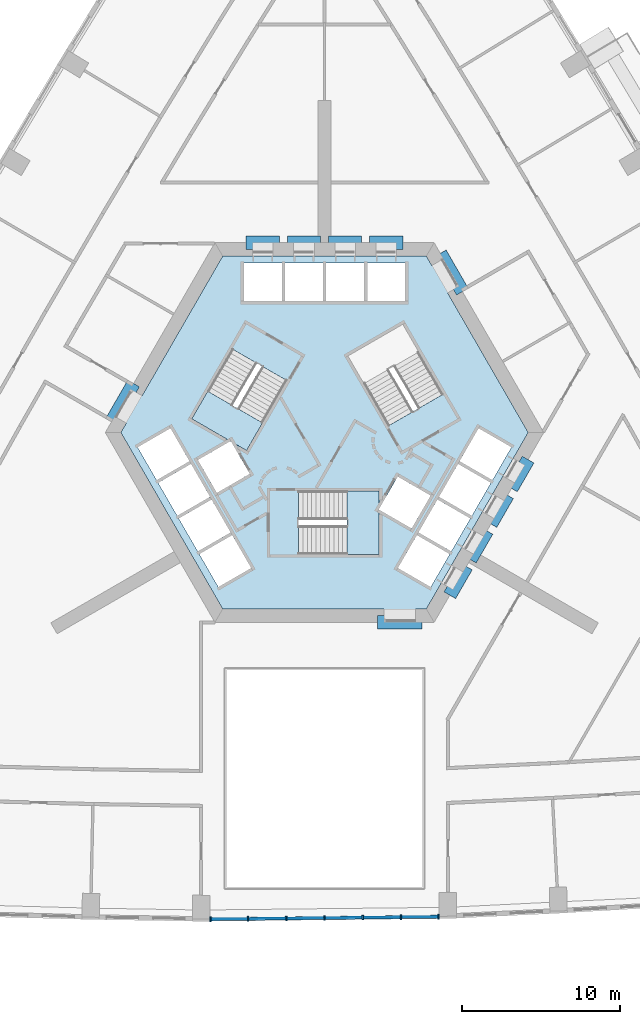
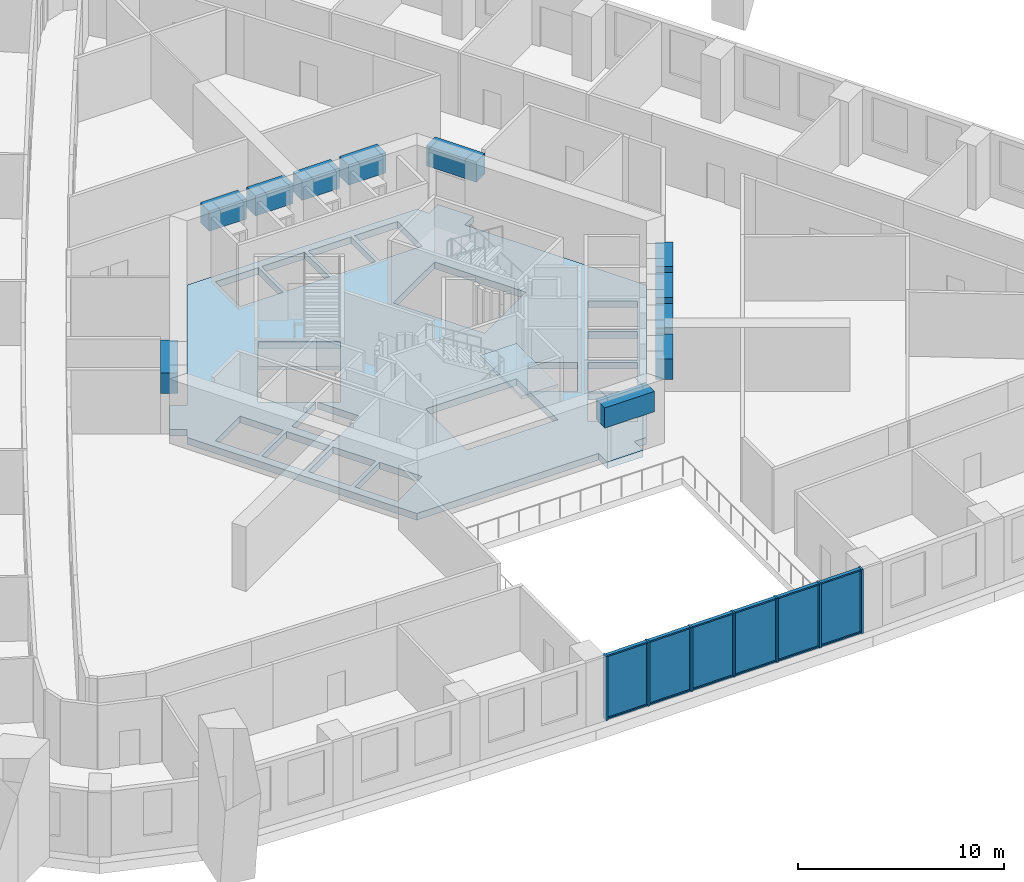
# One storey, part 2 of 15: 19 members, 11 beams, 6 plates, 3 slabs, 3 elements without a shape of their own.
"""IFC4 building model written with IfcOpenShell, lengths in metres."""

from ifc_helpers import new_model, si_unit, direction, frame, origin, origin_2d, place, context, subcontext, project, spatial, polyline, rectangle, outline, extrude, material, layer, layer_set, material_profile, profile_set, type_object, element, aggregate, save


model = new_model("IFC4")

# Units and contexts
model_context = context("Model", 3, precision=1e-05, world=origin(), true_north=direction((0.0, 1.0)))
body_context = subcontext(model_context, "Body", "Model", "MODEL_VIEW")
ifc_project = project(units=[si_unit("LENGTHUNIT", "METRE"), si_unit("AREAUNIT", "SQUARE_METRE"), si_unit("VOLUMEUNIT", "CUBIC_METRE"), si_unit("PLANEANGLEUNIT", "RADIAN"), si_unit("MASSUNIT", "GRAM", prefix="KILO")], contexts=[model_context])

# Site, building, storey
site_placement = place(None, origin())
site = spatial("IfcSite", under=ifc_project, at=site_placement, CompositionType="ELEMENT")
building_placement = place(site_placement, origin())
building = spatial("IfcBuilding", under=site, at=building_placement, Name="Entoto Arch Interchange Tower", CompositionType="ELEMENT")
storey_placement = place(building_placement, frame((0.0, 0.0, 124.39990234375)))
storey = spatial("IfcBuildingStorey", under=building, at=storey_placement, Name="L27", CompositionType="ELEMENT", Elevation=124.39990234375)

# Beams
ifc_material_1 = material(Name="Concrete C60/75", Category="concrete")
ifc_material_profile_1 = material_profile(ifc_material_1, rectangle(XDim=0.85009765625, YDim=1.199951171875, at=origin_2d()))
ifc_profile_set_1 = profile_set([ifc_material_profile_1], Name="Concrete C60/75")
beam_type = type_object("IfcBeamType", Name="Coupling beam RC 850x1200 C60/75", PredefinedType="BEAM", material=ifc_profile_set_1)
beam_1_placement = place(storey_placement, frame((8.717041015625, 11.402099609375, 3.0), z_axis=(-0.500200581029, 0.865909567298, 0.0), x_axis=(-0.865909567298, -0.500200581029, 0.0)))
element("IfcBeam", 1, at=beam_1_placement, inside=storey, type_object=beam_type, Name="Coupling beam NE L27", PredefinedType="BEAM", context=body_context, shape_type="SweptSolid", body=[
    extrude(rectangle(XDim=0.85009765625, YDim=1.199951171875, at=origin_2d()), origin(), (0.0, 0.0, 1.0), 2.799072265625),
])
beam_2_placement = place(storey_placement, frame((4.949951171875, 14.5, 3.0), z_axis=(-1.0, 0.0, 0.0), x_axis=(0.0, -1.0, 0.0)))
element("IfcBeam", 2, at=beam_2_placement, inside=storey, type_object=beam_type, Name="Coupling beam N L27", PredefinedType="BEAM", context=body_context, shape_type="SweptSolid", body=[
    extrude(rectangle(XDim=0.85009765625, YDim=1.199951171875, at=origin_2d()), origin(), (0.0, 0.0, 1.0), 2.099853515625),
])
for number, where, z_axis, x_axis, name in (
    (3, (2.35009765625, 14.5, 3.0), (-1.0, 0.0, 0.0), (0.0, -1.0, 0.0), "Coupling beam N L27"),
    (4, (-0.25, 14.5, 3.0), (-1.0, 0.0, 0.0), (0.0, -1.0, 0.0), "Coupling beam N L27"),
):
    element("IfcBeam", number, at=place(storey_placement, frame(where, z_axis=z_axis, x_axis=x_axis)), inside=storey, type_object=beam_type, Name=name, PredefinedType="BEAM", context=body_context, shape_type="SweptSolid", body=[
        extrude(rectangle(XDim=0.85009765625, YDim=1.199951171875, at=origin_2d()), origin(), (0.0, 0.0, 1.0), 2.10009765625),
    ])
beam_3_placement = place(storey_placement, frame((-2.85009765625, 14.5, 3.0), z_axis=(-1.0, 0.0, 0.0), x_axis=(0.0, -1.0, 0.0)))
element("IfcBeam", 5, at=beam_3_placement, inside=storey, type_object=beam_type, Name="Coupling beam N L27", PredefinedType="BEAM", context=body_context, shape_type="SweptSolid", body=[
    extrude(rectangle(XDim=0.85009765625, YDim=1.199951171875, at=origin_2d()), origin(), (0.0, 0.0, 1.0), 2.099853515625),
])
beam_4_placement = place(storey_placement, frame((-12.06689453125, 5.597900390625, 3.0), z_axis=(-0.500200581029, -0.865909567298, 0.0), x_axis=(0.865909567298, -0.500200581029, 0.0)))
element("IfcBeam", 6, at=beam_4_placement, inside=storey, type_object=beam_type, Name="Coupling beam NW L27", PredefinedType="BEAM", context=body_context, shape_type="SweptSolid", body=[
    extrude(rectangle(XDim=0.85009765625, YDim=1.199951171875, at=origin_2d()), origin(), (0.0, 0.0, 1.0), 2.799072265625),
])
beam_5_placement = place(storey_placement, frame((3.35009765625, -9.5, 3.0), z_axis=(1.0, 0.0, 0.0), x_axis=(0.0, 1.0, 0.0)))
element("IfcBeam", 7, at=beam_5_placement, inside=storey, type_object=beam_type, Name="Coupling beam S L27", PredefinedType="BEAM", context=body_context, shape_type="SweptSolid", body=[
    extrude(rectangle(XDim=0.85009765625, YDim=1.199951171875, at=origin_2d()), origin(), (0.0, 0.0, 1.0), 2.7998046875),
])
for number, where, z_axis, x_axis, name in (
    (8, (7.9169921875, -7.785888671875, 3.0), (0.500178781653, 0.865922159541, 0.0), (-0.865922159541, 0.500178781653, 0.0), "Coupling beam SE L27"),
    (9, (9.217041015625, -5.534912109375, 3.0), (0.500178781653, 0.865922159541, 0.0), (-0.865922159541, 0.500178781653, 0.0), "Coupling beam SE L27"),
):
    element("IfcBeam", number, at=place(storey_placement, frame(where, z_axis=z_axis, x_axis=x_axis)), inside=storey, type_object=beam_type, Name=name, PredefinedType="BEAM", context=body_context, shape_type="SweptSolid", body=[
        extrude(rectangle(XDim=0.85009765625, YDim=1.199951171875, at=origin_2d()), origin(), (0.0, 0.0, 1.0), 2.099365234375),
    ])
beam_6_placement = place(storey_placement, frame((10.51708984375, -3.282958984375, 3.0), z_axis=(0.500091574638, 0.865972526687, 0.0), x_axis=(-0.865972526687, 0.500091574638, 0.0)))
element("IfcBeam", 10, at=beam_6_placement, inside=storey, type_object=beam_type, Name="Coupling beam SE L27", PredefinedType="BEAM", context=body_context, shape_type="SweptSolid", body=[
    extrude(rectangle(XDim=0.85009765625, YDim=1.199951171875, at=origin_2d()), origin(), (0.0, 0.0, 1.0), 2.09912109375),
])
beam_7_placement = place(storey_placement, frame((11.81689453125, -1.031982421875, 3.0), z_axis=(0.500178781653, 0.865922159541, 0.0), x_axis=(-0.865922159541, 0.500178781653, 0.0)))
element("IfcBeam", 11, at=beam_7_placement, inside=storey, type_object=beam_type, Name="Coupling beam SE L27", PredefinedType="BEAM", context=body_context, shape_type="SweptSolid", body=[
    extrude(rectangle(XDim=0.85009765625, YDim=1.199951171875, at=origin_2d()), origin(), (0.0, 0.0, 1.0), 2.099365234375),
])

# Curtain wall, members
ifc_material_2 = material(Name="Aluminium, anodised", Category="aluminium")
curtain_wall_type = type_object("IfcCurtainWallType", Name="CURTAIN WALL ATRIUM", PredefinedType="NOTDEFINED", material=ifc_material_2)
curtain_wall_placement = place(storey_placement, origin())
curtain_wall = element("IfcCurtainWall", 12, at=curtain_wall_placement, inside=storey, type_object=curtain_wall_type, Name="Atrium glazing S-04 L27", PredefinedType="NOTDEFINED")
ifc_material_profile_2 = material_profile(ifc_material_2, rectangle(XDim=0.300048828125, YDim=0.10009765625, at=origin_2d()))
ifc_profile_set_2 = profile_set([ifc_material_profile_2], Name="Aluminium, anodised")
member_type_1 = type_object("IfcMemberType", Name="MULLION ATRIUM 100x300", PredefinedType="MULLION", material=ifc_profile_set_2)
member_1_placement = place(storey_placement, frame((-7.199951171875, -28.266357421875, 0.0), z_axis=(0.0, 0.0, 1.0), x_axis=(-0.011102763886, 0.999938362417, 0.0)))
member_1 = element("IfcMember", 13, at=member_1_placement, type_object=member_type_1, Name="CWA mullion 1", PredefinedType="MULLION", context=body_context, shape_type="SweptSolid", body=[
    extrude(rectangle(XDim=0.300048828125, YDim=0.10009765625, at=origin_2d()), origin(), (0.0, 0.0, 1.0), 3.800048828125),
])
member_2_placement = place(storey_placement, frame((-4.833251953125, -28.240234375, 0.0), z_axis=(0.0, 0.0, 1.0), x_axis=(-0.011102763886, 0.999938362417, 0.0)))
member_2 = element("IfcMember", 14, at=member_2_placement, type_object=member_type_1, Name="CWA mullion 2", PredefinedType="MULLION", context=body_context, shape_type="SweptSolid", body=[
    extrude(rectangle(XDim=0.300048828125, YDim=0.10009765625, at=origin_2d()), origin(), (0.0, 0.0, 1.0), 3.800048828125),
])
member_3_placement = place(storey_placement, frame((-2.416748046875, -28.21337890625, 0.0), z_axis=(0.0, 0.0, 1.0), x_axis=(-0.011102763886, 0.999938362417, 0.0)))
member_3 = element("IfcMember", 15, at=member_3_placement, type_object=member_type_1, Name="CWA mullion 3", PredefinedType="MULLION", context=body_context, shape_type="SweptSolid", body=[
    extrude(rectangle(XDim=0.300048828125, YDim=0.10009765625, at=origin_2d()), origin(), (0.0, 0.0, 1.0), 3.800048828125),
])
member_4_placement = place(storey_placement, frame((0.0, -28.1865234375, 0.0), z_axis=(0.0, 0.0, 1.0), x_axis=(-0.011102763886, 0.999938362417, 0.0)))
member_4 = element("IfcMember", 16, at=member_4_placement, type_object=member_type_1, Name="CWA mullion 4", PredefinedType="MULLION", context=body_context, shape_type="SweptSolid", body=[
    extrude(rectangle(XDim=0.300048828125, YDim=0.10009765625, at=origin_2d()), origin(), (0.0, 0.0, 1.0), 3.800048828125),
])
member_5_placement = place(storey_placement, frame((2.416748046875, -28.15966796875, 0.0), z_axis=(0.0, 0.0, 1.0), x_axis=(-0.011102763886, 0.999938362417, 0.0)))
member_5 = element("IfcMember", 17, at=member_5_placement, type_object=member_type_1, Name="CWA mullion 5", PredefinedType="MULLION", context=body_context, shape_type="SweptSolid", body=[
    extrude(rectangle(XDim=0.300048828125, YDim=0.10009765625, at=origin_2d()), origin(), (0.0, 0.0, 1.0), 3.800048828125),
])
member_6_placement = place(storey_placement, frame((4.833251953125, -28.1328125, 0.0), z_axis=(0.0, 0.0, 1.0), x_axis=(-0.011102763886, 0.999938362417, 0.0)))
member_6 = element("IfcMember", 18, at=member_6_placement, type_object=member_type_1, Name="CWA mullion 6", PredefinedType="MULLION", context=body_context, shape_type="SweptSolid", body=[
    extrude(rectangle(XDim=0.300048828125, YDim=0.10009765625, at=origin_2d()), origin(), (0.0, 0.0, 1.0), 3.800048828125),
])
member_7_placement = place(storey_placement, frame((7.199951171875, -28.1064453125, 0.0), z_axis=(0.0, 0.0, 1.0), x_axis=(-0.011102763886, 0.999938362417, 0.0)))
member_7 = element("IfcMember", 19, at=member_7_placement, type_object=member_type_1, Name="CWA mullion 7", PredefinedType="MULLION", context=body_context, shape_type="SweptSolid", body=[
    extrude(rectangle(XDim=0.300048828125, YDim=0.10009765625, at=origin_2d()), origin(), (0.0, 0.0, 1.0), 3.800048828125),
])
ifc_material_profile_3 = material_profile(ifc_material_2, rectangle(XDim=0.199951171875, YDim=0.080078125, at=origin_2d()))
ifc_profile_set_3 = profile_set([ifc_material_profile_3], Name="Aluminium, anodised")
member_type_2 = type_object("IfcMemberType", Name="TRANSOM ATRIUM 80x200", PredefinedType="USERDEFINED", material=ifc_profile_set_3)
member_8_placement = place(storey_placement, frame((-7.14990234375, -28.265869140625, 0.0400390625), z_axis=(0.999938463314, 0.011093673171, 0.0), x_axis=(-0.011093673171, 0.999938463314, 0.0)))
member_8 = element("IfcMember", 20, at=member_8_placement, type_object=member_type_2, Name="CWA transom 1.1", ObjectType="TRANSOM", PredefinedType="USERDEFINED", context=body_context, shape_type="SweptSolid", body=[
    extrude(rectangle(XDim=0.199951171875, YDim=0.080078125, at=origin_2d()), origin(), (0.0, 0.0, 1.0), 2.266845703125),
])
member_9_placement = place(storey_placement, frame((-7.14990234375, -28.265869140625, 3.760009765625), z_axis=(0.999938463314, 0.011093673171, 0.0), x_axis=(-0.011093673171, 0.999938463314, 0.0)))
member_9 = element("IfcMember", 21, at=member_9_placement, type_object=member_type_2, Name="CWA transom 1.2", ObjectType="TRANSOM", PredefinedType="USERDEFINED", context=body_context, shape_type="SweptSolid", body=[
    extrude(rectangle(XDim=0.199951171875, YDim=0.080078125, at=origin_2d()), origin(), (0.0, 0.0, 1.0), 2.266845703125),
])
member_10_placement = place(storey_placement, frame((-4.783447265625, -28.239501953125, 0.0400390625), z_axis=(0.999938796493, 0.011063601015, 0.0), x_axis=(-0.011063601015, 0.999938796493, 0.0)))
member_10 = element("IfcMember", 22, at=member_10_placement, type_object=member_type_2, Name="CWA transom 2.1", ObjectType="TRANSOM", PredefinedType="USERDEFINED", context=body_context, shape_type="SweptSolid", body=[
    extrude(rectangle(XDim=0.199951171875, YDim=0.080078125, at=origin_2d()), origin(), (0.0, 0.0, 1.0), 2.317138671875),
])
member_11_placement = place(storey_placement, frame((-4.783447265625, -28.239501953125, 3.760009765625), z_axis=(0.999938796493, 0.011063601015, 0.0), x_axis=(-0.011063601015, 0.999938796493, 0.0)))
member_11 = element("IfcMember", 23, at=member_11_placement, type_object=member_type_2, Name="CWA transom 2.2", ObjectType="TRANSOM", PredefinedType="USERDEFINED", context=body_context, shape_type="SweptSolid", body=[
    extrude(rectangle(XDim=0.199951171875, YDim=0.080078125, at=origin_2d()), origin(), (0.0, 0.0, 1.0), 2.317138671875),
])
member_12_placement = place(storey_placement, frame((-2.36669921875, -28.212890625, 0.0400390625), z_axis=(0.999937612124, 0.011170132457, 0.0), x_axis=(-0.011170132457, 0.999937612124, 0.0)))
member_12 = element("IfcMember", 24, at=member_12_placement, type_object=member_type_2, Name="CWA transom 3.1", ObjectType="TRANSOM", PredefinedType="USERDEFINED", context=body_context, shape_type="SweptSolid", body=[
    extrude(rectangle(XDim=0.199951171875, YDim=0.080078125, at=origin_2d()), origin(), (0.0, 0.0, 1.0), 2.31689453125),
])
member_13_placement = place(storey_placement, frame((-2.36669921875, -28.212890625, 3.760009765625), z_axis=(0.999937612124, 0.011170132457, 0.0), x_axis=(-0.011170132457, 0.999937612124, 0.0)))
member_13 = element("IfcMember", 25, at=member_13_placement, type_object=member_type_2, Name="CWA transom 3.2", ObjectType="TRANSOM", PredefinedType="USERDEFINED", context=body_context, shape_type="SweptSolid", body=[
    extrude(rectangle(XDim=0.199951171875, YDim=0.080078125, at=origin_2d()), origin(), (0.0, 0.0, 1.0), 2.31689453125),
])
member_14_placement = place(storey_placement, frame((0.050048828125, -28.18603515625, 0.0400390625), z_axis=(0.999937612124, 0.011170132457, 0.0), x_axis=(-0.011170132457, 0.999937612124, 0.0)))
member_14 = element("IfcMember", 26, at=member_14_placement, type_object=member_type_2, Name="CWA transom 4.1", ObjectType="TRANSOM", PredefinedType="USERDEFINED", context=body_context, shape_type="SweptSolid", body=[
    extrude(rectangle(XDim=0.199951171875, YDim=0.080078125, at=origin_2d()), origin(), (0.0, 0.0, 1.0), 2.31689453125),
])
member_15_placement = place(storey_placement, frame((0.050048828125, -28.18603515625, 3.760009765625), z_axis=(0.999937612124, 0.011170132457, 0.0), x_axis=(-0.011170132457, 0.999937612124, 0.0)))
member_15 = element("IfcMember", 27, at=member_15_placement, type_object=member_type_2, Name="CWA transom 4.2", ObjectType="TRANSOM", PredefinedType="USERDEFINED", context=body_context, shape_type="SweptSolid", body=[
    extrude(rectangle(XDim=0.199951171875, YDim=0.080078125, at=origin_2d()), origin(), (0.0, 0.0, 1.0), 2.31689453125),
])
member_16_placement = place(storey_placement, frame((2.466552734375, -28.1591796875, 0.0400390625), z_axis=(0.999937625271, 0.011168955562, 0.0), x_axis=(-0.011168955562, 0.999937625271, 0.0)))
member_16 = element("IfcMember", 28, at=member_16_placement, type_object=member_type_2, Name="CWA transom 5.1", ObjectType="TRANSOM", PredefinedType="USERDEFINED", context=body_context, shape_type="SweptSolid", body=[
    extrude(rectangle(XDim=0.199951171875, YDim=0.080078125, at=origin_2d()), origin(), (0.0, 0.0, 1.0), 2.317138671875),
])
member_17_placement = place(storey_placement, frame((2.466552734375, -28.1591796875, 3.760009765625), z_axis=(0.999937625271, 0.011168955562, 0.0), x_axis=(-0.011168955562, 0.999937625271, 0.0)))
member_17 = element("IfcMember", 29, at=member_17_placement, type_object=member_type_2, Name="CWA transom 5.2", ObjectType="TRANSOM", PredefinedType="USERDEFINED", context=body_context, shape_type="SweptSolid", body=[
    extrude(rectangle(XDim=0.199951171875, YDim=0.080078125, at=origin_2d()), origin(), (0.0, 0.0, 1.0), 2.317138671875),
])
member_18_placement = place(storey_placement, frame((4.88330078125, -28.13232421875, 0.0400390625), z_axis=(0.999938463314, 0.011093673171, 0.0), x_axis=(-0.011093673171, 0.999938463314, 0.0)))
member_18 = element("IfcMember", 30, at=member_18_placement, type_object=member_type_2, Name="CWA transom 6.1", ObjectType="TRANSOM", PredefinedType="USERDEFINED", context=body_context, shape_type="SweptSolid", body=[
    extrude(rectangle(XDim=0.199951171875, YDim=0.080078125, at=origin_2d()), origin(), (0.0, 0.0, 1.0), 2.266845703125),
])
member_19_placement = place(storey_placement, frame((4.88330078125, -28.13232421875, 3.760009765625), z_axis=(0.999938463314, 0.011093673171, 0.0), x_axis=(-0.011093673171, 0.999938463314, 0.0)))
member_19 = element("IfcMember", 31, at=member_19_placement, type_object=member_type_2, Name="CWA transom 6.2", ObjectType="TRANSOM", PredefinedType="USERDEFINED", context=body_context, shape_type="SweptSolid", body=[
    extrude(rectangle(XDim=0.199951171875, YDim=0.080078125, at=origin_2d()), origin(), (0.0, 0.0, 1.0), 2.266845703125),
])

# Slab
ifc_material_3 = material(Name="Concrete C40/50", Category="concrete")
ifc_layer_1 = layer(ifc_material_3, 0.39990234375)
ifc_layer_set_1 = layer_set([ifc_layer_1], Name="Concrete C40/50")
slab_type_1 = type_object("IfcSlabType", Name="Core floor slab 400 C40/50", PredefinedType="FLOOR", material=ifc_layer_set_1)
slab_1_placement = place(storey_placement, frame((0.0, 0.0, -0.39990234375)))
element("IfcSlab", 32, at=slab_1_placement, inside=storey, type_object=slab_type_1, Name="Core floor slab L27", PredefinedType="FLOOR", context=body_context, shape_type="SweptSolid", body=[
    extrude(outline(polyline([(5.75, -9.5), (3.75, -9.5), (3.75, -8.64990234375), (-6.43701171875, -8.64990234375), (-12.875, 2.5), (-12.531005859375, 3.094970703125), (-13.26708984375, 3.52001953125), (-12.26708984375, 5.251953125), (-11.531005859375, 4.826904296875), (-6.43701171875, 13.64990234375), (6.43701171875, 13.64990234375), (6.781005859375, 13.054931640625), (7.51708984375, 13.47998046875), (8.51708984375, 11.748046875), (7.781005859375, 11.322998046875), (12.875, 2.5), (6.43701171875, -8.64990234375), (5.75, -8.64990234375), (5.75, -9.5)]), holes=[polyline([(-4.637939453125, -6.06689453125), (-5.837890625, -3.988037109375), (-7.916015625, -5.18798828125), (-6.716064453125, -7.26708984375), (-4.637939453125, -6.06689453125)]), polyline([(-5.93798828125, -3.81494140625), (-7.137939453125, -1.737060546875), (-9.216064453125, -2.93701171875), (-8.01611328125, -5.014892578125), (-5.93798828125, -3.81494140625)]), polyline([(5.5048828125, -3.56494140625), (6.705078125, -1.487060546875), (4.626953125, -0.287109375), (3.449951171875, -2.324951171875), (3.449951171875, -1.199951171875), (-1.64990234375, -1.199951171875), (-1.64990234375, -5.199951171875), (3.449951171875, -5.199951171875), (3.449951171875, -2.3779296875), (5.5048828125, -3.56494140625)]), polyline([(-7.238037109375, -1.56298828125), (-8.43798828125, 0.514892578125), (-10.51611328125, -0.68505859375), (-9.31591796875, -2.762939453125), (-7.238037109375, -1.56298828125)]), polyline([(-4.72705078125, -0.113037109375), (-5.904052734375, 1.925048828125), (-4.928955078125, 1.362060546875), (-2.37890625, 5.779052734375), (-5.843017578125, 7.779052734375), (-8.39306640625, 3.362060546875), (-5.949951171875, 1.951904296875), (-8.0048828125, 0.764892578125), (-6.804931640625, -1.31298828125), (-4.72705078125, -0.113037109375)]), polyline([(-8.5380859375, 0.68798828125), (-9.738037109375, 2.76708984375), (-11.81591796875, 1.56689453125), (-10.615966796875, -0.511962890625), (-8.5380859375, 0.68798828125)]), polyline([(-5.10009765625, 10.800048828125), (-2.699951171875, 10.800048828125), (-2.699951171875, 13.199951171875), (-5.10009765625, 13.199951171875), (-5.10009765625, 10.800048828125)]), polyline([(-2.5, 10.800048828125), (-0.10009765625, 10.800048828125), (-0.10009765625, 13.199951171875), (-2.5, 13.199951171875), (-2.5, 10.800048828125)]), polyline([(5.837890625, -3.988037109375), (4.637939453125, -6.06689453125), (6.716064453125, -7.26708984375), (7.916015625, -5.18798828125), (5.837890625, -3.988037109375)]), polyline([(7.137939453125, -1.737060546875), (5.93798828125, -3.81494140625), (8.01611328125, -5.014892578125), (9.216064453125, -2.93701171875), (7.137939453125, -1.737060546875)]), polyline([(8.43798828125, 0.514892578125), (7.238037109375, -1.56298828125), (9.31591796875, -2.762939453125), (10.51611328125, -0.68505859375), (8.43798828125, 0.514892578125)]), polyline([(9.738037109375, 2.76708984375), (8.5380859375, 0.68798828125), (10.615966796875, -0.511962890625), (11.81591796875, 1.56689453125), (9.738037109375, 2.76708984375)]), polyline([(4.029052734375, 2.9208984375), (7.492919921875, 4.9208984375), (4.943115234375, 9.337890625), (1.47900390625, 7.337890625), (4.029052734375, 2.9208984375)]), polyline([(0.10009765625, 13.199951171875), (0.10009765625, 10.800048828125), (2.5, 10.800048828125), (2.5, 13.199951171875), (0.10009765625, 13.199951171875)]), polyline([(2.699951171875, 13.199951171875), (2.699951171875, 10.800048828125), (5.10009765625, 10.800048828125), (5.10009765625, 13.199951171875), (2.699951171875, 13.199951171875)])]), origin(), (0.0, 0.0, 1.0), 0.39990234375),
])

# Stair, slab
stair_type = type_object("IfcStairType", Name="EXIT STAIR RC 1800", PredefinedType="HALF_TURN_STAIR", material=ifc_material_3)
stair_1_placement = place(storey_placement, origin())
stair_1 = element("IfcStair", 33, at=stair_1_placement, inside=storey, type_object=stair_type, Name="L27 Exit stair S", PredefinedType="HALF_TURN_STAIR")
ifc_layer_2 = layer(ifc_material_3, 0.199951171875)
ifc_layer_set_2 = layer_set([ifc_layer_2], Name="Concrete C40/50")
slab_type_2 = type_object("IfcSlabType", Name="EXIT STAIR LANDING RC 200", PredefinedType="LANDING", material=ifc_layer_set_2)
slab_2_placement = place(storey_placement, frame((0.0, 0.0, 1.900146484375)))
slab_2 = element("IfcSlab", 34, at=slab_2_placement, type_object=slab_type_2, Name="ST-S landing 1", PredefinedType="LANDING", context=body_context, shape_type="SweptSolid", body=[
    extrude(outline(polyline([(1.429931640625, -5.199951171875), (3.449951171875, -5.199951171875), (3.449951171875, -1.199951171875), (1.429931640625, -1.199951171875), (1.429931640625, -5.199951171875)])), origin(), (0.0, 0.0, 1.0), 0.199951171875),
])
aggregate(stair_1, [slab_2])

stair_2_placement = place(storey_placement, origin())
stair_2 = element("IfcStair", 35, at=stair_2_placement, inside=storey, type_object=stair_type, Name="L27 Exit stair NW", PredefinedType="HALF_TURN_STAIR")
slab_3_placement = place(storey_placement, frame((0.0, 0.0, 1.900146484375)))
slab_3 = element("IfcSlab", 36, at=slab_3_placement, type_object=slab_type_2, Name="ST-NW landing 1", PredefinedType="LANDING", context=body_context, shape_type="SweptSolid", body=[
    extrude(outline(polyline([(-7.38330078125, 5.111572265625), (-8.393310546875, 3.3623046875), (-4.92919921875, 1.3623046875), (-3.919189453125, 3.111572265625), (-7.38330078125, 5.111572265625)])), origin(), (0.0, 0.0, 1.0), 0.199951171875),
])
aggregate(stair_2, [slab_3])

# Plate
ifc_material_4 = material(Name="Clear glass, low-e double glazed", Category="glass")
ifc_layer_3 = layer(ifc_material_4, 0.031982421875)
ifc_layer_set_3 = layer_set([ifc_layer_3], Name="Clear glass, low-e double glazed")
plate_type = type_object("IfcPlateType", Name="GLAZING PANEL ATRIUM 32", PredefinedType="CURTAIN_PANEL", material=ifc_layer_set_3)
plate_1_placement = place(storey_placement, frame((-6.0166015625, -28.25341796875, 0.080078125), z_axis=(0.0, 0.0, 1.0), x_axis=(0.999938362417, 0.011102763886, 0.0)))
plate_1 = element("IfcPlate", 37, at=plate_1_placement, type_object=plate_type, Name="CWA panel 1.1", PredefinedType="CURTAIN_PANEL", context=body_context, shape_type="SweptSolid", body=[
    extrude(rectangle(XDim=2.266845703125, YDim=0.031982421875, at=origin_2d()), origin(), (0.0, 0.0, 1.0), 3.639892578125),
])

plate_2_placement = place(storey_placement, frame((-3.625, -28.226806640625, 0.080078125), z_axis=(0.0, 0.0, 1.0), x_axis=(0.999938362417, 0.011102763886, 0.0)))
plate_2 = element("IfcPlate", 38, at=plate_2_placement, type_object=plate_type, Name="CWA panel 2.1", PredefinedType="CURTAIN_PANEL", context=body_context, shape_type="SweptSolid", body=[
    extrude(rectangle(XDim=2.31689453125, YDim=0.031982421875, at=origin_2d()), origin(), (0.0, 0.0, 1.0), 3.639892578125),
])

plate_3_placement = place(storey_placement, frame((-1.208251953125, -28.199951171875, 0.080078125), z_axis=(0.0, 0.0, 1.0), x_axis=(0.999938362417, 0.011102763886, 0.0)))
plate_3 = element("IfcPlate", 39, at=plate_3_placement, type_object=plate_type, Name="CWA panel 3.1", PredefinedType="CURTAIN_PANEL", context=body_context, shape_type="SweptSolid", body=[
    extrude(rectangle(XDim=2.31689453125, YDim=0.031982421875, at=origin_2d()), origin(), (0.0, 0.0, 1.0), 3.639892578125),
])

plate_4_placement = place(storey_placement, frame((1.208251953125, -28.173095703125, 0.080078125), z_axis=(0.0, 0.0, 1.0), x_axis=(0.999938362417, 0.011102763886, 0.0)))
plate_4 = element("IfcPlate", 40, at=plate_4_placement, type_object=plate_type, Name="CWA panel 4.1", PredefinedType="CURTAIN_PANEL", context=body_context, shape_type="SweptSolid", body=[
    extrude(rectangle(XDim=2.31689453125, YDim=0.031982421875, at=origin_2d()), origin(), (0.0, 0.0, 1.0), 3.639892578125),
])

plate_5_placement = place(storey_placement, frame((3.625, -28.146240234375, 0.080078125), z_axis=(0.0, 0.0, 1.0), x_axis=(0.999938362417, 0.011102763886, 0.0)))
plate_5 = element("IfcPlate", 41, at=plate_5_placement, type_object=plate_type, Name="CWA panel 5.1", PredefinedType="CURTAIN_PANEL", context=body_context, shape_type="SweptSolid", body=[
    extrude(rectangle(XDim=2.31689453125, YDim=0.031982421875, at=origin_2d()), origin(), (0.0, 0.0, 1.0), 3.639892578125),
])

plate_6_placement = place(storey_placement, frame((6.0166015625, -28.11962890625, 0.080078125), z_axis=(0.0, 0.0, 1.0), x_axis=(0.999938362417, 0.011102763886, 0.0)))
plate_6 = element("IfcPlate", 42, at=plate_6_placement, type_object=plate_type, Name="CWA panel 6.1", PredefinedType="CURTAIN_PANEL", context=body_context, shape_type="SweptSolid", body=[
    extrude(rectangle(XDim=2.266845703125, YDim=0.031982421875, at=origin_2d()), origin(), (0.0, 0.0, 1.0), 3.639892578125),
])

aggregate(curtain_wall, [member_1, member_2, member_3, member_4, member_5, member_6, member_7, member_8, member_9, plate_1, member_10, member_11, plate_2, member_12, member_13, plate_3, member_14, member_15, plate_4, member_16, member_17, plate_5, member_18, member_19, plate_6])

save(model, "model.ifc")
